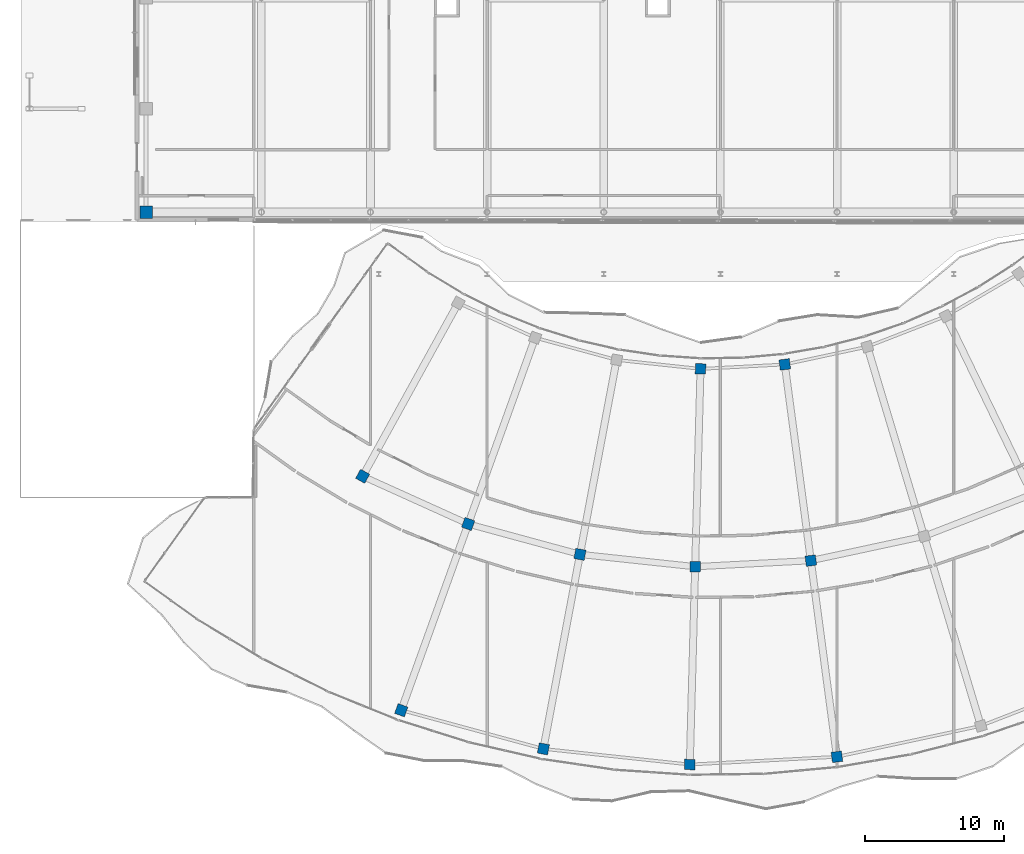
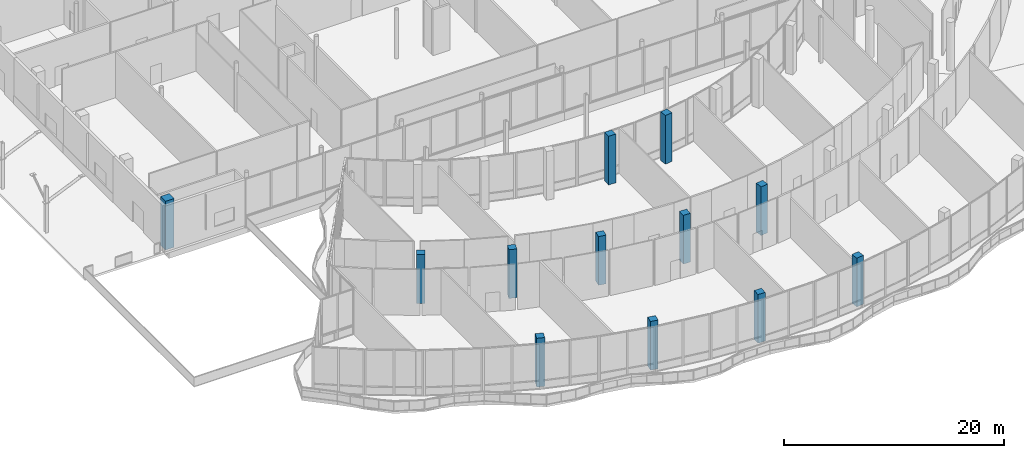
# One storey, part 1 of 158: 12 columns.
"""IFC4 building model written with IfcOpenShell, lengths in metres."""

from ifc_helpers import new_model, si_unit, direction, frame, origin, origin_2d, place, context, subcontext, project, spatial, rectangle, extrude, material, material_profile, profile_set, type_object, element, save


model = new_model("IFC4")

# Units and contexts
model_context = context("Model", 3, precision=1e-05, world=origin(), true_north=direction((0.0, 1.0)))
body_context = subcontext(model_context, "Body", "Model", "MODEL_VIEW")
ifc_project = project(units=[si_unit("LENGTHUNIT", "METRE"), si_unit("AREAUNIT", "SQUARE_METRE"), si_unit("VOLUMEUNIT", "CUBIC_METRE"), si_unit("PLANEANGLEUNIT", "RADIAN"), si_unit("MASSUNIT", "GRAM", prefix="KILO")], contexts=[model_context])

# Site, building, storey
site_placement = place(None, origin())
site = spatial("IfcSite", under=ifc_project, at=site_placement, CompositionType="ELEMENT")
building_placement = place(site_placement, origin())
building = spatial("IfcBuilding", under=site, at=building_placement, Name="Selatvlak General Hospital", CompositionType="ELEMENT")
storey_placement = place(building_placement, origin())
storey = spatial("IfcBuildingStorey", under=building, at=storey_placement, Name="L00", CompositionType="ELEMENT", Elevation=0.0)

# Columns
ifc_material = material(Name="Concrete C50/60", Category="concrete")
ifc_material_profile_1 = material_profile(ifc_material, rectangle(XDim=0.75, YDim=0.75, at=origin_2d()), Name="RC-COL 750x750")
ifc_profile_set_1 = profile_set([ifc_material_profile_1], Name="Concrete C50/60")
column_type_1 = type_object("IfcColumnType", Name="COL-RC75", PredefinedType="COLUMN", material=ifc_profile_set_1)
for number, where, z_axis, x_axis, name in (
    (1, (30.637939453125, 33.531982421875, 0.0), (0.0, 0.0, 1.0), (0.483007324118, 0.875616311434, 0.0), "Column 315 on L00"),
    (2, (38.239013671875, 30.095947265625, 0.0), (0.0, 0.0, 1.0), (0.338261654325, 0.941052099096, 0.0), "Column 317 on L00"),
    (3, (33.4189453125, 16.68603515625, 0.0), (0.0, 0.0, 1.0), (0.338261654325, 0.941052099096, 0.0), "Column 318 on L00"),
    (4, (46.2880859375, 27.906005859375, 0.0), (0.0, 0.0, 1.0), (0.184997729111, 0.982738948156, 0.0), "Column 320 on L00"),
    (5, (43.652099609375, 13.902099609375, 0.0), (0.0, 0.0, 1.0), (0.184997729111, 0.982738948156, 0.0), "Column 321 on L00"),
    (6, (54.968017578125, 41.262939453125, 0.0), (0.0, 0.0, 1.0), (0.027066750718, 0.999633628389, 0.0), "Column 322 on L00"),
    (7, (54.58203125, 27.01904296875, 0.0), (0.0, 0.0, 1.0), (0.027066750718, 0.999633628389, 0.0), "Column 323 on L00"),
    (8, (54.196044921875, 12.77490234375, 0.0), (0.0, 0.0, 1.0), (0.027066750718, 0.999633628389, 0.0), "Column 324 on L00"),
    (9, (61.034912109375, 41.5830078125, 0.0), (0.0, 0.0, 1.0), (-0.131737372908, 0.991284653659, 0.0), "Column 325 on L00"),
    (10, (62.912109375, 27.45703125, 0.0), (0.0, 0.0, 1.0), (-0.131737372908, 0.991284653659, 0.0), "Column 326 on L00"),
    (11, (64.7890625, 13.3310546875, 0.0), (0.0, 0.0, 1.0), (-0.131737372908, 0.991284653659, 0.0), "Column 327 on L00"),
):
    element("IfcColumn", number, at=place(storey_placement, frame(where, z_axis=z_axis, x_axis=x_axis)), inside=storey, type_object=column_type_1, Name=name, PredefinedType="COLUMN", context=body_context, shape_type="SweptSolid", body=[
        extrude(rectangle(XDim=0.75, YDim=0.75, at=origin_2d()), origin(), (0.0, 0.0, 1.0), 5.39990234375),
    ])
ifc_material_profile_2 = material_profile(ifc_material, rectangle(XDim=0.89990234375, YDim=0.89990234375, at=origin_2d()), Name="RC-COL 900x900")
ifc_profile_set_2 = profile_set([ifc_material_profile_2], Name="Concrete C50/60")
column_type_2 = type_object("IfcColumnType", Name="COL-RC90", PredefinedType="COLUMN", material=ifc_profile_set_2)
column_placement = place(storey_placement, frame((15.050048828125, 52.550048828125, 0.0), z_axis=(0.0, 0.0, 1.0), x_axis=(1.0, 0.0, 0.0)))
element("IfcColumn", 12, at=column_placement, inside=storey, type_object=column_type_2, Name="Column 060 on L00", PredefinedType="COLUMN", context=body_context, shape_type="SweptSolid", body=[
    extrude(rectangle(XDim=0.89990234375, YDim=0.89990234375, at=origin_2d()), origin(), (0.0, 0.0, 1.0), 5.39990234375),
])

save(model, "model.ifc")
